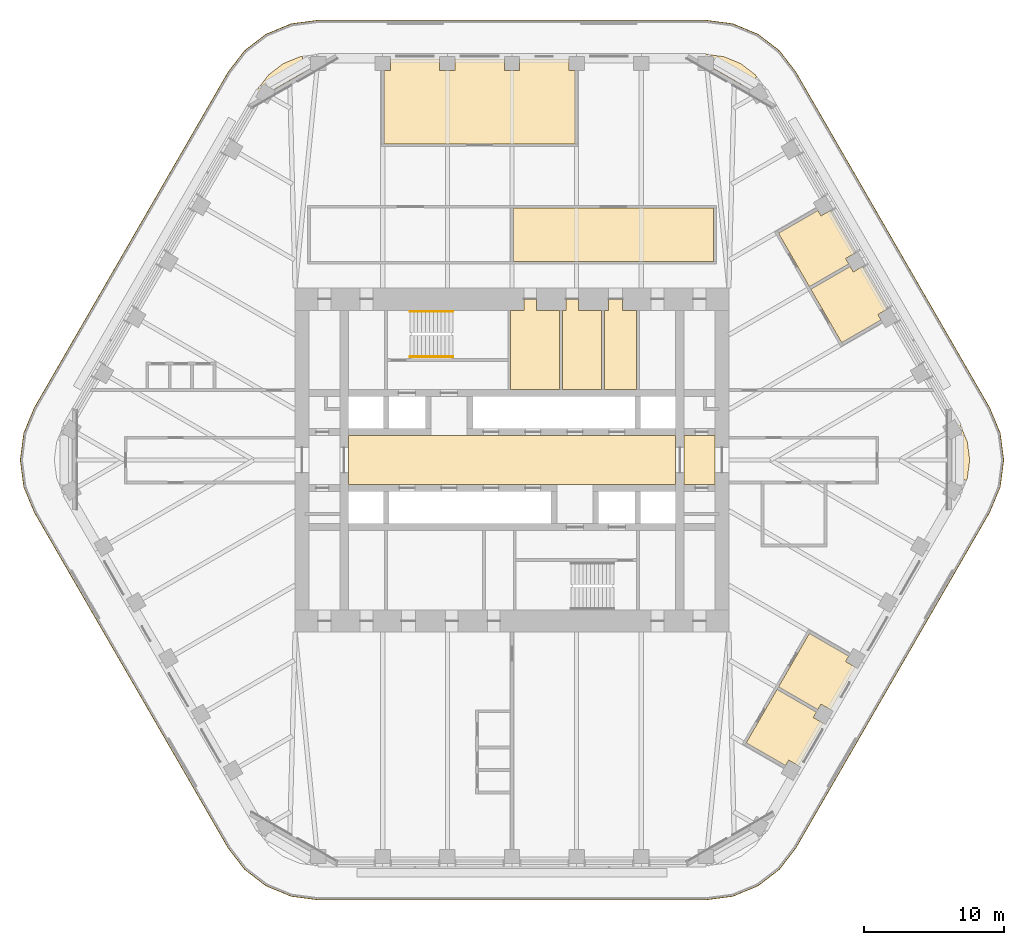
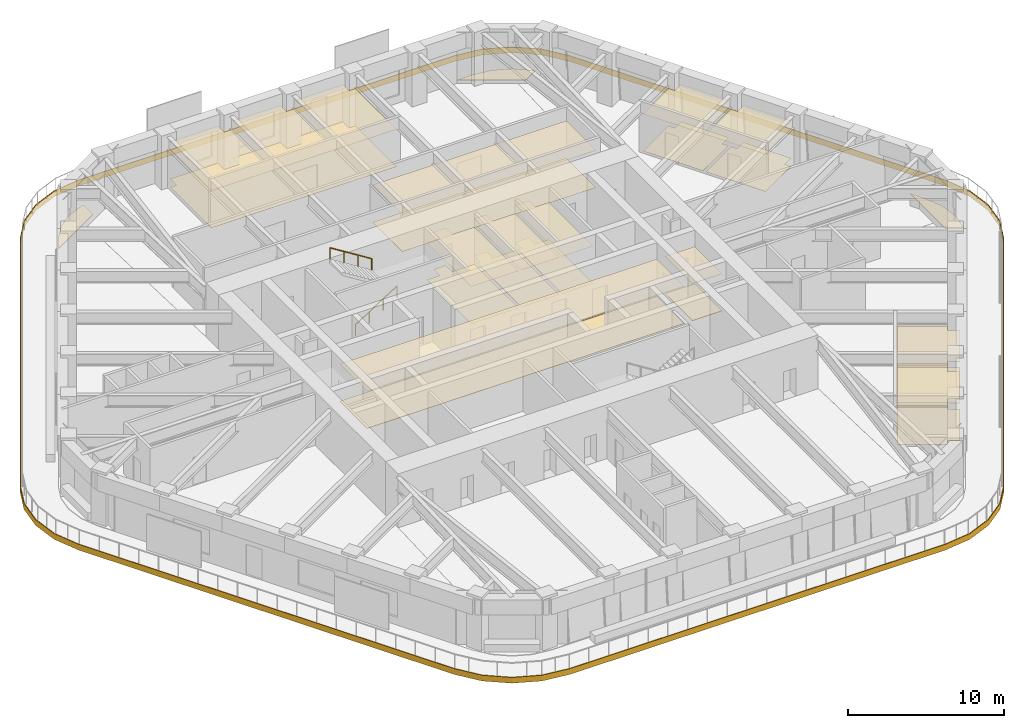
# One storey, part 19 of 20: 16 coverings, 2 railings.
"""IFC4 building model written with IfcOpenShell, lengths in metres."""

from ifc_helpers import new_model, si_unit, direction, frame, origin, origin_2d, place, context, subcontext, project, spatial, polyline, circle, outline, extrude, material, layer, layer_set, type_object, element, save


model = new_model("IFC4")

# Units and contexts
model_context = context("Model", 3, precision=1e-05, world=origin(), true_north=direction((0.0, 1.0)))
body_context = subcontext(model_context, "Body", "Model", "MODEL_VIEW")
ifc_project = project(units=[si_unit("LENGTHUNIT", "METRE"), si_unit("AREAUNIT", "SQUARE_METRE"), si_unit("VOLUMEUNIT", "CUBIC_METRE"), si_unit("PLANEANGLEUNIT", "RADIAN"), si_unit("MASSUNIT", "GRAM", prefix="KILO")], contexts=[model_context])

# Site, building, storey
site_placement = place(None, origin())
site = spatial("IfcSite", under=ifc_project, at=site_placement, CompositionType="ELEMENT")
building_placement = place(site_placement, origin())
building = spatial("IfcBuilding", under=site, at=building_placement, Name="Tarfa Lantern Tower", CompositionType="ELEMENT")
storey_placement = place(building_placement, frame((0.0, 0.0, 278.5)))
storey = spatial("IfcBuildingStorey", under=building, at=storey_placement, Name="L63", CompositionType="ELEMENT", Elevation=278.5)

# Coverings
ifc_material_1 = material(Name="Mineral fibre acoustic tile on suspension grid", Category="finish")
ifc_layer_1 = layer(ifc_material_1, 0.02001953125)
ifc_layer_set_1 = layer_set([ifc_layer_1], Name="CL1 ACOUSTIC TILE CEILING 20")
covering_type_1 = type_object("IfcCoveringType", Name="CL1 ACOUSTIC TILE CEILING 20", PredefinedType="CEILING", material=ifc_layer_set_1)
covering_1_placement = place(storey_placement, frame((0.0, 0.0, 2.89990234375)))
element("IfcCovering", 1, at=covering_1_placement, inside=storey, type_object=covering_type_1, Name="Ceiling L63 CL1", PredefinedType="CEILING", context=body_context, shape_type="SweptSolid", body=[
    extrude(outline(polyline([(4.518798828125, 22.60009765625), (-9.1376953125, 22.60009765625), (-9.1376953125, 27.85009765625), (-8.6875, 27.85009765625), (-8.6875, 28.64990234375), (-5.168701171875, 28.64990234375), (-5.168701171875, 27.85009765625), (-4.06884765625, 27.85009765625), (-4.06884765625, 28.64990234375), (-0.550048828125, 28.64990234375), (-0.550048828125, 27.85009765625), (0.550048828125, 27.85009765625), (0.550048828125, 28.64990234375), (4.06884765625, 28.64990234375), (4.06884765625, 27.85009765625), (4.518798828125, 27.85009765625), (4.518798828125, 22.60009765625)])), origin(), (0.0, 0.0, 1.0), 0.02001953125),
    extrude(outline(polyline([(21.354248046875, 12.21337890625), (24.168701171875, 13.83837890625), (24.393798828125, 13.44873046875), (25.086669921875, 13.8486328125), (26.845947265625, 10.80126953125), (26.1533203125, 10.4013671875), (26.378173828125, 10.01171875), (23.563720703125, 8.38671875), (21.354248046875, 12.21337890625)])), origin(), (0.0, 0.0, 1.0), 0.02001953125),
    extrude(outline(polyline([(19.044921875, 16.21337890625), (21.859375, 17.83837890625), (22.08447265625, 17.44873046875), (22.77734375, 17.8486328125), (24.53662109375, 14.80126953125), (23.84375, 14.4013671875), (24.06884765625, 14.01171875), (21.254150390625, 12.38671875), (19.044921875, 16.21337890625)])), origin(), (0.0, 0.0, 1.0), 0.02001953125),
    extrude(outline(polyline([(18.94482421875, -16.38671875), (21.759521484375, -18.01171875), (21.534423828125, -18.4013671875), (22.227294921875, -18.80126953125), (20.4677734375, -21.8486328125), (19.77490234375, -21.44873046875), (19.550048828125, -21.83837890625), (16.7353515625, -20.21337890625), (18.94482421875, -16.38671875)])), origin(), (0.0, 0.0, 1.0), 0.02001953125),
    extrude(outline(polyline([(21.254150390625, -12.38671875), (24.06884765625, -14.01171875), (23.84375, -14.4013671875), (24.53662109375, -14.80126953125), (22.77734375, -17.8486328125), (22.08447265625, -17.44873046875), (21.859375, -17.83837890625), (19.044921875, -16.21337890625), (21.254150390625, -12.38671875)])), origin(), (0.0, 0.0, 1.0), 0.02001953125),
    extrude(outline(polyline([(0.10009765625, 18.0), (14.39990234375, 18.0), (14.39990234375, 14.199951171875), (0.10009765625, 14.199951171875), (0.10009765625, 18.0)])), origin(), (0.0, 0.0, 1.0), 0.02001953125),
])
ifc_material_2 = material(Name="Moisture-resistant plasterboard", Category="finish")
ifc_layer_2 = layer(ifc_material_2, 0.014892578125)
ifc_layer_set_2 = layer_set([ifc_layer_2], Name="CL2 MOISTURE-RESISTANT PLASTERBOARD CEILING 15")
covering_type_2 = type_object("IfcCoveringType", Name="CL2 MOISTURE-RESISTANT PLASTERBOARD CEILING 15", PredefinedType="CEILING", material=ifc_layer_set_2)
covering_2_placement = place(storey_placement, frame((0.0, 0.0, 2.89990234375)))
element("IfcCovering", 2, at=covering_2_placement, inside=storey, type_object=covering_type_2, Name="Ceiling L63-07", PredefinedType="CEILING", context=body_context, shape_type="SweptSolid", body=[
    extrude(outline(polyline([(0.85009765625, 10.699951171875), (-0.10009765625, 10.699951171875), (-0.10009765625, 5.050048828125), (3.39990234375, 5.050048828125), (3.39990234375, 10.699951171875), (1.75, 10.699951171875), (1.75, 11.5), (0.85009765625, 11.5), (0.85009765625, 11.5), (0.85009765625, 10.699951171875)])), origin(), (0.0, 0.0, 1.0), 0.01513671875),
])
covering_3_placement = place(storey_placement, frame((0.0, 0.0, 2.89990234375)))
element("IfcCovering", 3, at=covering_3_placement, inside=storey, type_object=covering_type_2, Name="Ceiling L63-08", PredefinedType="CEILING", context=body_context, shape_type="SweptSolid", body=[
    extrude(outline(polyline([(3.60009765625, 5.050048828125), (6.39990234375, 5.050048828125), (6.39990234375, 10.699951171875), (4.75, 10.699951171875), (4.75, 11.5), (3.85009765625, 11.5), (3.85009765625, 10.699951171875), (3.60009765625, 10.699951171875), (3.60009765625, 5.050048828125)])), origin(), (0.0, 0.0, 1.0), 0.01513671875),
])
covering_4_placement = place(storey_placement, frame((0.0, 0.0, 2.89990234375)))
element("IfcCovering", 4, at=covering_4_placement, inside=storey, type_object=covering_type_2, Name="Ceiling L63-09", PredefinedType="CEILING", context=body_context, shape_type="SweptSolid", body=[
    extrude(outline(polyline([(6.60009765625, 5.050048828125), (8.89990234375, 5.050048828125), (8.89990234375, 10.699951171875), (7.89990234375, 10.699951171875), (7.89990234375, 11.5), (6.89990234375, 11.5), (6.89990234375, 10.699951171875), (6.60009765625, 10.699951171875), (6.60009765625, 5.050048828125)])), origin(), (0.0, 0.0, 1.0), 0.01513671875),
])
ifc_material_3 = material(Name="Powder-coated aluminium panel", Category="aluminium")
ifc_layer_3 = layer(ifc_material_3, 0.030029296875)
ifc_layer_set_3 = layer_set([ifc_layer_3], Name="CL3 METAL PANEL CEILING 30")
covering_type_3 = type_object("IfcCoveringType", Name="CL3 METAL PANEL CEILING 30", PredefinedType="CEILING", material=ifc_layer_set_3)
covering_5_placement = place(storey_placement, frame((0.0, 0.0, 2.89990234375)))
element("IfcCovering", 5, at=covering_5_placement, inside=storey, type_object=covering_type_3, Name="Ceiling L63-02", PredefinedType="CEILING", context=body_context, shape_type="SweptSolid", body=[
    extrude(outline(polyline([(-11.699951171875, -1.75), (11.699951171875, -1.75), (11.699951171875, 1.75), (-11.699951171875, 1.75), (-11.699951171875, -1.75)])), origin(), (0.0, 0.0, 1.0), 0.030029296875),
])
covering_6_placement = place(storey_placement, frame((0.0, 0.0, 2.89990234375)))
element("IfcCovering", 6, at=covering_6_placement, inside=storey, type_object=covering_type_3, Name="Ceiling L63-03", PredefinedType="CEILING", context=body_context, shape_type="SweptSolid", body=[
    extrude(outline(polyline([(12.300048828125, -1.75), (14.5, -1.75), (14.5, 1.75), (12.300048828125, 1.75), (12.300048828125, -1.75)])), origin(), (0.0, 0.0, 1.0), 0.030029296875),
])
ifc_material_4 = material(Name="Nylon carpet tile", Category="finish")
ifc_layer_4 = layer(ifc_material_4, 0.010009765625)
ifc_layer_set_4 = layer_set([ifc_layer_4], Name="FL1 CARPET TILE 10")
covering_type_4 = type_object("IfcCoveringType", Name="FL1 CARPET TILE 10", PredefinedType="FLOORING", material=ifc_layer_set_4)
covering_7_placement = place(storey_placement, origin())
element("IfcCovering", 7, at=covering_7_placement, inside=storey, type_object=covering_type_4, Name="Floor finish L63 FL1", PredefinedType="FLOORING", context=body_context, shape_type="SweptSolid", body=[
    extrude(outline(polyline([(4.518798828125, 22.60009765625), (-9.1376953125, 22.60009765625), (-9.1376953125, 27.85009765625), (-8.6875, 27.85009765625), (-8.6875, 28.64990234375), (-5.168701171875, 28.64990234375), (-5.168701171875, 27.85009765625), (-4.06884765625, 27.85009765625), (-4.06884765625, 28.64990234375), (-0.550048828125, 28.64990234375), (-0.550048828125, 27.85009765625), (0.550048828125, 27.85009765625), (0.550048828125, 28.64990234375), (4.06884765625, 28.64990234375), (4.06884765625, 27.85009765625), (4.518798828125, 27.85009765625), (4.518798828125, 22.60009765625)])), origin(), (0.0, 0.0, 1.0), 0.010009765625),
    extrude(outline(polyline([(21.354248046875, 12.21337890625), (24.168701171875, 13.83837890625), (24.393798828125, 13.44873046875), (25.086669921875, 13.8486328125), (26.845947265625, 10.80126953125), (26.1533203125, 10.4013671875), (26.378173828125, 10.01171875), (23.563720703125, 8.38671875), (21.354248046875, 12.21337890625)])), origin(), (0.0, 0.0, 1.0), 0.010009765625),
    extrude(outline(polyline([(19.044921875, 16.21337890625), (21.859375, 17.83837890625), (22.08447265625, 17.44873046875), (22.77734375, 17.8486328125), (24.53662109375, 14.80126953125), (23.84375, 14.4013671875), (24.06884765625, 14.01171875), (21.254150390625, 12.38671875), (19.044921875, 16.21337890625)])), origin(), (0.0, 0.0, 1.0), 0.010009765625),
    extrude(outline(polyline([(18.94482421875, -16.38671875), (21.759521484375, -18.01171875), (21.534423828125, -18.4013671875), (22.227294921875, -18.80126953125), (20.4677734375, -21.8486328125), (19.77490234375, -21.44873046875), (19.550048828125, -21.83837890625), (16.7353515625, -20.21337890625), (18.94482421875, -16.38671875)])), origin(), (0.0, 0.0, 1.0), 0.010009765625),
    extrude(outline(polyline([(21.254150390625, -12.38671875), (24.06884765625, -14.01171875), (23.84375, -14.4013671875), (24.53662109375, -14.80126953125), (22.77734375, -17.8486328125), (22.08447265625, -17.44873046875), (21.859375, -17.83837890625), (19.044921875, -16.21337890625), (21.254150390625, -12.38671875)])), origin(), (0.0, 0.0, 1.0), 0.010009765625),
    extrude(outline(polyline([(0.10009765625, 18.0), (14.39990234375, 18.0), (14.39990234375, 14.199951171875), (0.10009765625, 14.199951171875), (0.10009765625, 18.0)])), origin(), (0.0, 0.0, 1.0), 0.010009765625),
])
ifc_material_5 = material(Name="Honed limestone flooring", Category="masonry")
ifc_layer_5 = layer(ifc_material_5, 0.030029296875)
ifc_layer_set_5 = layer_set([ifc_layer_5], Name="FL2 STONE FLOORING 30")
covering_type_5 = type_object("IfcCoveringType", Name="FL2 STONE FLOORING 30", PredefinedType="FLOORING", material=ifc_layer_set_5)
covering_8_placement = place(storey_placement, origin())
element("IfcCovering", 8, at=covering_8_placement, inside=storey, type_object=covering_type_5, Name="Floor finish L63-02", PredefinedType="FLOORING", context=body_context, shape_type="SweptSolid", body=[
    extrude(outline(polyline([(-11.699951171875, -1.75), (11.699951171875, -1.75), (11.699951171875, 1.75), (-11.699951171875, 1.75), (-11.699951171875, -1.75)])), origin(), (0.0, 0.0, 1.0), 0.030029296875),
])
covering_9_placement = place(storey_placement, origin())
element("IfcCovering", 9, at=covering_9_placement, inside=storey, type_object=covering_type_5, Name="Floor finish L63-03", PredefinedType="FLOORING", context=body_context, shape_type="SweptSolid", body=[
    extrude(outline(polyline([(12.300048828125, -1.75), (14.5, -1.75), (14.5, 1.75), (12.300048828125, 1.75), (12.300048828125, -1.75)])), origin(), (0.0, 0.0, 1.0), 0.030029296875),
])
ifc_material_6 = material(Name="Porcelain floor tile", Category="finish")
ifc_layer_6 = layer(ifc_material_6, 0.011962890625)
ifc_layer_set_6 = layer_set([ifc_layer_6], Name="FL3 CERAMIC TILE 12")
covering_type_6 = type_object("IfcCoveringType", Name="FL3 CERAMIC TILE 12", PredefinedType="FLOORING", material=ifc_layer_set_6)
covering_10_placement = place(storey_placement, origin())
element("IfcCovering", 10, at=covering_10_placement, inside=storey, type_object=covering_type_6, Name="Floor finish L63-07", PredefinedType="FLOORING", context=body_context, shape_type="SweptSolid", body=[
    extrude(outline(polyline([(0.85009765625, 10.699951171875), (-0.10009765625, 10.699951171875), (-0.10009765625, 5.050048828125), (3.39990234375, 5.050048828125), (3.39990234375, 10.699951171875), (1.75, 10.699951171875), (1.75, 11.5), (0.85009765625, 11.5), (0.85009765625, 11.5), (0.85009765625, 10.699951171875)])), origin(), (0.0, 0.0, 1.0), 0.011962890625),
])
covering_11_placement = place(storey_placement, origin())
element("IfcCovering", 11, at=covering_11_placement, inside=storey, type_object=covering_type_6, Name="Floor finish L63-08", PredefinedType="FLOORING", context=body_context, shape_type="SweptSolid", body=[
    extrude(outline(polyline([(3.60009765625, 5.050048828125), (6.39990234375, 5.050048828125), (6.39990234375, 10.699951171875), (4.75, 10.699951171875), (4.75, 11.5), (3.85009765625, 11.5), (3.85009765625, 10.699951171875), (3.60009765625, 10.699951171875), (3.60009765625, 5.050048828125)])), origin(), (0.0, 0.0, 1.0), 0.011962890625),
])
covering_12_placement = place(storey_placement, origin())
element("IfcCovering", 12, at=covering_12_placement, inside=storey, type_object=covering_type_6, Name="Floor finish L63-09", PredefinedType="FLOORING", context=body_context, shape_type="SweptSolid", body=[
    extrude(outline(polyline([(6.60009765625, 5.050048828125), (8.89990234375, 5.050048828125), (8.89990234375, 10.699951171875), (7.89990234375, 10.699951171875), (7.89990234375, 11.5), (6.89990234375, 11.5), (6.89990234375, 10.699951171875), (6.60009765625, 10.699951171875), (6.60009765625, 5.050048828125)])), origin(), (0.0, 0.0, 1.0), 0.011962890625),
])

# Railings
ifc_material_7 = material(Name="Stainless steel", Category="steel")
railing_type = type_object("IfcRailingType", Name="HR1 HANDRAIL 900", PredefinedType="HANDRAIL", material=ifc_material_7)
railing_1_placement = place(storey_placement, frame((-7.300048828125, 7.3798828125, 0.175048828125)))
element("IfcRailing", 13, at=railing_1_placement, inside=storey, type_object=railing_type, Name="Handrail 1", PredefinedType="HANDRAIL", context=body_context, shape_type="SweptSolid", body=[
    extrude(circle(Radius=0.02392578125, at=origin_2d()), frame((0.0, 0.0, 0.8759765625), z_axis=(0.847998304005, 0.0, 0.529998940003), x_axis=(0.0, 1.0, 0.0)), (0.0, 0.0, 1.0), 3.632080078125),
    extrude(circle(Radius=0.02099609375, at=origin_2d()), frame((0.0, 0.0, 0.0), z_axis=(0.0, 0.0, 1.0), x_axis=(0.0, 1.0, 0.0)), (0.0, 0.0, 1.0), 0.851806640625),
    extrude(circle(Radius=0.02099609375, at=origin_2d()), frame((1.026611328125, 0.0, 0.6416015625), z_axis=(0.0, 0.0, 1.0), x_axis=(0.0, 1.0, 0.0)), (0.0, 0.0, 1.0), 0.851806640625),
    extrude(circle(Radius=0.02099609375, at=origin_2d()), frame((2.053466796875, 0.0, 1.283447265625), z_axis=(0.0, 0.0, 1.0), x_axis=(0.0, 1.0, 0.0)), (0.0, 0.0, 1.0), 0.851806640625),
    extrude(circle(Radius=0.02099609375, at=origin_2d()), frame((3.080078125, 0.0, 1.925048828125), z_axis=(0.0, 0.0, 1.0), x_axis=(0.0, 1.0, 0.0)), (0.0, 0.0, 1.0), 0.851806640625),
])
railing_2_placement = place(storey_placement, frame((-4.219970703125, 10.6201171875, 2.27490234375)))
element("IfcRailing", 14, at=railing_2_placement, inside=storey, type_object=railing_type, Name="Handrail 2", PredefinedType="HANDRAIL", context=body_context, shape_type="SweptSolid", body=[
    extrude(circle(Radius=0.02392578125, at=origin_2d()), frame((0.0, 0.0, 0.8759765625), z_axis=(-0.847998304005, 0.0, 0.529998940003), x_axis=(0.0, -1.0, 0.0)), (0.0, 0.0, 1.0), 3.632080078125),
    extrude(circle(Radius=0.02099609375, at=origin_2d()), frame((0.0, 0.0, 0.0), z_axis=(0.0, 0.0, 1.0), x_axis=(0.0, -1.0, 0.0)), (0.0, 0.0, 1.0), 0.851806640625),
    extrude(circle(Radius=0.02099609375, at=origin_2d()), frame((-1.026611328125, 0.0, 0.6416015625), z_axis=(0.0, 0.0, 1.0), x_axis=(0.0, -1.0, 0.0)), (0.0, 0.0, 1.0), 0.851806640625),
    extrude(circle(Radius=0.02099609375, at=origin_2d()), frame((-2.053466796875, 0.0, 1.283447265625), z_axis=(0.0, 0.0, 1.0), x_axis=(0.0, -1.0, 0.0)), (0.0, 0.0, 1.0), 0.851806640625),
    extrude(circle(Radius=0.02099609375, at=origin_2d()), frame((-3.080078125, 0.0, 1.925048828125), z_axis=(0.0, 0.0, 1.0), x_axis=(0.0, -1.0, 0.0)), (0.0, 0.0, 1.0), 0.851806640625),
])

# Coverings
ifc_material_8 = material(Name="Porcelain pavers on pedestals", Category="ceramic")
ifc_layer_7 = layer(ifc_material_8, 0.0400390625)
ifc_layer_set_7 = layer_set([ifc_layer_7], Name="LP1 LOGGIA PAVING 40")
covering_type_7 = type_object("IfcCoveringType", Name="LP1 LOGGIA PAVING 40", PredefinedType="FLOORING", material=ifc_layer_set_7)
covering_13_placement = place(storey_placement, origin())
element("IfcCovering", 15, at=covering_13_placement, inside=storey, type_object=covering_type_7, Name="Sky garden paving NE-N", PredefinedType="FLOORING", context=body_context, shape_type="SweptSolid", body=[
    extrude(outline(polyline([(15.150390625, 28.82958984375), (16.3564453125, 28.330078125), (17.391845703125, 27.53564453125), (17.51123046875, 27.380126953125), (16.4765625, 26.782958984375), (12.641357421875, 28.997314453125), (12.64306640625, 29.0), (13.8564453125, 29.0), (15.150390625, 28.82958984375)])), origin(), (0.0, 0.0, 1.0), 0.0400390625),
])
covering_14_placement = place(storey_placement, origin())
element("IfcCovering", 16, at=covering_14_placement, inside=storey, type_object=covering_type_7, Name="Sky garden paving N-NW", PredefinedType="FLOORING", context=body_context, shape_type="SweptSolid", body=[
    extrude(outline(polyline([(-17.391845703125, 27.53564453125), (-16.3564453125, 28.330078125), (-15.150390625, 28.82958984375), (-14.956298828125, 28.855224609375), (-14.956298828125, 27.66064453125), (-18.791748046875, 25.4462890625), (-18.793212890625, 25.44921875), (-18.1865234375, 26.5), (-17.391845703125, 27.53564453125)])), origin(), (0.0, 0.0, 1.0), 0.0400390625),
])
covering_15_placement = place(storey_placement, origin())
element("IfcCovering", 17, at=covering_15_placement, inside=storey, type_object=covering_type_7, Name="Sky garden paving SE-NE", PredefinedType="FLOORING", context=body_context, shape_type="SweptSolid", body=[
    extrude(outline(polyline([(32.54248046875, 1.294189453125), (32.712890625, 0.0), (32.54248046875, -1.294189453125), (32.467529296875, -1.474853515625), (31.43310546875, -0.877685546875), (31.43310546875, 3.55078125), (31.436279296875, 3.55078125), (32.04296875, 2.5), (32.54248046875, 1.294189453125)])), origin(), (0.0, 0.0, 1.0), 0.0400390625),
])
ifc_material_9 = material(Name="Limestone cladding on brackets", Category="masonry")
ifc_layer_8 = layer(ifc_material_9, 0.050048828125)
ifc_layer_set_8 = layer_set([ifc_layer_8], Name="SB1 STONE BAND CLADDING 50")
covering_type_8 = type_object("IfcCoveringType", Name="SB1 STONE BAND CLADDING 50", PredefinedType="CLADDING", material=ifc_layer_set_8)
covering_16_placement = place(storey_placement, frame((0.0, 0.0, -0.39990234375)))
element("IfcCovering", 18, at=covering_16_placement, inside=storey, type_object=covering_type_8, Name="Stone band", PredefinedType="CLADDING", context=body_context, shape_type="SweptSolid", body=[
    extrude(outline(polyline([(34.164794921875, 3.72509765625), (20.308349609375, 27.72509765625), (19.124267578125, 29.26806640625), (17.581298828125, 30.451904296875), (15.78466796875, 31.196044921875), (13.8564453125, 31.449951171875), (-13.8564453125, 31.449951171875), (-15.78466796875, 31.196044921875), (-17.581298828125, 30.451904296875), (-19.124267578125, 29.26806640625), (-20.308349609375, 27.72509765625), (-34.164794921875, 3.72509765625), (-34.908935546875, 1.92822265625), (-35.162841796875, 0.0), (-34.908935546875, -1.92822265625), (-34.164794921875, -3.72509765625), (-20.308349609375, -27.72509765625), (-19.124267578125, -29.26806640625), (-17.581298828125, -30.451904296875), (-15.78466796875, -31.196044921875), (-13.8564453125, -31.449951171875), (13.8564453125, -31.449951171875), (15.78466796875, -31.196044921875), (17.581298828125, -30.451904296875), (19.124267578125, -29.26806640625), (20.308349609375, -27.72509765625), (34.164794921875, -3.72509765625), (34.908935546875, -1.92822265625), (35.162841796875, 0.0), (34.908935546875, 1.92822265625), (34.164794921875, 3.72509765625)]), holes=[polyline([(34.121337890625, 3.699951171875), (20.264892578125, 27.699951171875), (19.089111328125, 29.232666015625), (17.556396484375, 30.40869140625), (15.771728515625, 31.14794921875), (13.8564453125, 31.39990234375), (-13.8564453125, 31.39990234375), (-15.771728515625, 31.14794921875), (-17.556396484375, 30.40869140625), (-19.089111328125, 29.232666015625), (-20.264892578125, 27.699951171875), (-34.121337890625, 3.699951171875), (-34.860595703125, 1.915283203125), (-35.11279296875, 0.0), (-34.860595703125, -1.915283203125), (-34.121337890625, -3.699951171875), (-20.264892578125, -27.699951171875), (-19.089111328125, -29.232666015625), (-17.556396484375, -30.40869140625), (-15.771728515625, -31.14794921875), (-13.8564453125, -31.39990234375), (13.8564453125, -31.39990234375), (15.771728515625, -31.14794921875), (17.556396484375, -30.40869140625), (19.089111328125, -29.232666015625), (20.264892578125, -27.699951171875), (34.121337890625, -3.699951171875), (34.860595703125, -1.915283203125), (35.11279296875, 0.0), (34.860595703125, 1.915283203125), (34.121337890625, 3.699951171875)])]), origin(), (0.0, 0.0, 1.0), 0.449951171875),
])

save(model, "model.ifc")
